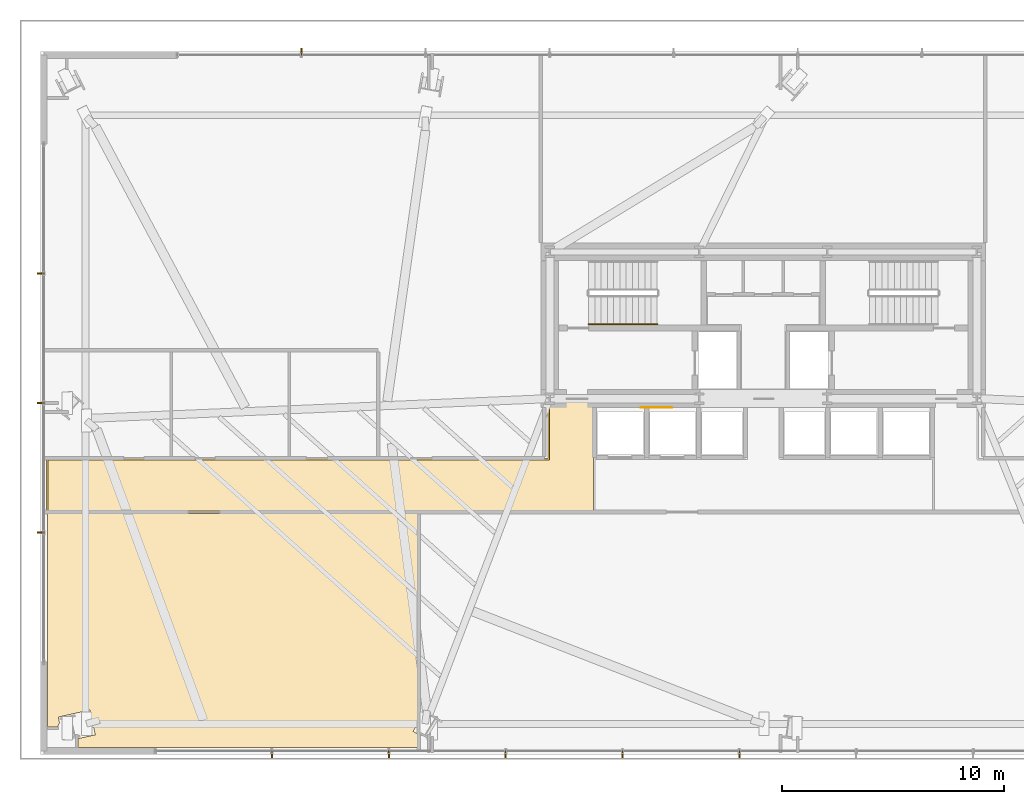
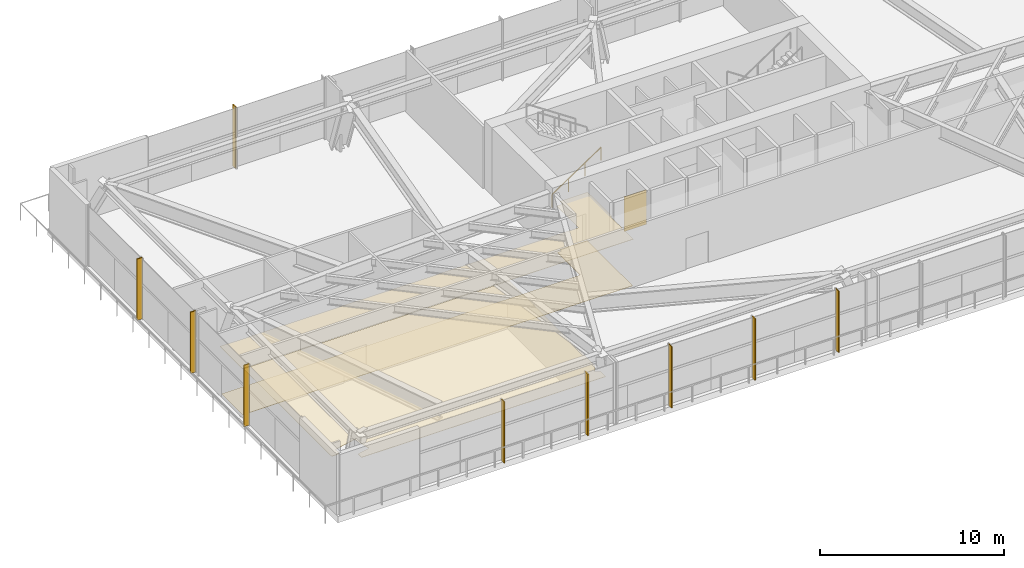
# One storey, part 24 of 30: 9 shading devices, 4 coverings, 1 railing.
"""IFC4 building model written with IfcOpenShell, lengths in metres."""

from ifc_helpers import new_model, si_unit, direction, frame, origin, origin_2d, place, context, subcontext, project, spatial, polyline, rectangle, outline, extrude, source, transform, mapped, material, layer, layer_set, type_object, type_shapes, element, save


model = new_model("IFC4")

# Units and contexts
model_context = context("Model", 3, precision=1e-05, world=origin(), true_north=direction((0.0, 1.0)))
body_context = subcontext(model_context, "Body", "Model", "MODEL_VIEW")
ifc_project = project(units=[si_unit("LENGTHUNIT", "METRE"), si_unit("AREAUNIT", "SQUARE_METRE"), si_unit("VOLUMEUNIT", "CUBIC_METRE"), si_unit("PLANEANGLEUNIT", "RADIAN"), si_unit("MASSUNIT", "GRAM", prefix="KILO")], contexts=[model_context])

# Site, building, storey
site_placement = place(None, origin())
site = spatial("IfcSite", under=ifc_project, at=site_placement, CompositionType="ELEMENT")
building_placement = place(site_placement, origin())
building = spatial("IfcBuilding", under=site, at=building_placement, Name="Astriad Promenade Condominiums", CompositionType="ELEMENT")
storey_placement = place(building_placement, frame((0.0, 0.0, 14.0)))
storey = spatial("IfcBuildingStorey", under=building, at=storey_placement, Name="L03", CompositionType="ELEMENT", Elevation=14.0)

# Coverings
ifc_material_1 = material(Name="Mineral-Fibre Acoustic Ceiling Tile")
ifc_layer_1 = layer(ifc_material_1, 0.02490234375)
ifc_layer_set_1 = layer_set([ifc_layer_1], Name="Mineral-Fibre Acoustic Ceiling Tile")
covering_type_1 = type_object("IfcCoveringType", Name="COV-CEIL-ACOUSTIC-25", PredefinedType="CEILING", material=ifc_layer_set_1)
covering_1_placement = place(storey_placement, frame((0.0, 0.0, 3.135009765625)))
element("IfcCovering", 1, at=covering_1_placement, inside=storey, type_object=covering_type_1, Name="CEIL-L03-COR-2", PredefinedType="CEILING", context=body_context, shape_type="SweptSolid", body=[
    extrude(outline(polyline([(3.794189453125, 12.2705078125), (3.791259765625, 12.271240234375), (3.78857421875, 12.272216796875), (3.785888671875, 12.2734375), (3.783203125, 12.275146484375), (3.781005859375, 12.27685546875), (3.77880859375, 12.27880859375), (3.77685546875, 12.281005859375), (3.775146484375, 12.283203125), (3.7734375, 12.285888671875), (3.772216796875, 12.28857421875), (3.771240234375, 12.291259765625), (3.7705078125, 12.294189453125), (3.77001953125, 12.297119140625), (3.77001953125, 12.300048828125), (3.77001953125, 14.679931640625), (3.77001953125, 14.682861328125), (3.7705078125, 14.685791015625), (3.771240234375, 14.688720703125), (3.772216796875, 14.69140625), (3.7734375, 14.694091796875), (3.775146484375, 14.69677734375), (3.77685546875, 14.698974609375), (3.77880859375, 14.701171875), (3.781005859375, 14.703125), (3.783203125, 14.704833984375), (3.785888671875, 14.70654296875), (3.78857421875, 14.707763671875), (3.791259765625, 14.708740234375), (3.794189453125, 14.70947265625), (3.797119140625, 14.7099609375), (3.800048828125, 14.7099609375), (26.320068359375, 14.7099609375), (26.320068359375, 17.077880859375), (26.683349609375, 17.077880859375), (26.683349609375, 17.3798828125), (28.39990234375, 17.3798828125), (28.40283203125, 17.3798828125), (28.406005859375, 17.37939453125), (28.40869140625, 17.378662109375), (28.41162109375, 17.377685546875), (28.4140625, 17.37646484375), (28.416748046875, 17.375), (28.4189453125, 17.373291015625), (28.421142578125, 17.37109375), (28.423095703125, 17.368896484375), (28.4248046875, 17.36669921875), (28.426513671875, 17.364013671875), (28.427734375, 17.361572265625), (28.4287109375, 17.358642578125), (28.429443359375, 17.35595703125), (28.429931640625, 17.352783203125), (28.429931640625, 17.35009765625), (28.429931640625, 14.75), (28.39990234375, 14.75), (28.39892578125, 14.75), (28.39599609375, 14.749755859375), (28.39404296875, 14.74951171875), (28.39111328125, 14.749267578125), (28.389404296875, 14.748779296875), (28.386474609375, 14.748046875), (28.384521484375, 14.74755859375), (28.3818359375, 14.74658203125), (28.3798828125, 14.745849609375), (28.377197265625, 14.744384765625), (28.37548828125, 14.74365234375), (28.373046875, 14.7421875), (28.371337890625, 14.740966796875), (28.369140625, 14.7392578125), (28.367431640625, 14.738037109375), (28.365478515625, 14.736083984375), (28.364013671875, 14.734619140625), (28.362060546875, 14.732421875), (28.360595703125, 14.73095703125), (28.35888671875, 14.728515625), (28.35791015625, 14.726806640625), (28.3564453125, 14.724365234375), (28.35546875, 14.72265625), (28.354248046875, 14.719970703125), (28.353515625, 14.71826171875), (28.3525390625, 14.71533203125), (28.351806640625, 14.713623046875), (28.351318359375, 14.710693359375), (28.350830078125, 14.708740234375), (28.350341796875, 14.705810546875), (28.35009765625, 14.703857421875), (28.35009765625, 14.700927734375), (28.35009765625, 14.699951171875), (28.35009765625, 12.300048828125), (28.35009765625, 12.299072265625), (28.35009765625, 12.296142578125), (28.350341796875, 12.294189453125), (28.350830078125, 12.291259765625), (28.351318359375, 12.289306640625), (28.351806640625, 12.286376953125), (28.3525390625, 12.28466796875), (28.353515625, 12.28173828125), (28.354248046875, 12.280029296875), (28.35546875, 12.27734375), (28.3564453125, 12.275634765625), (28.35791015625, 12.273193359375), (28.35888671875, 12.271484375), (28.360107421875, 12.27001953125), (3.800048828125, 12.27001953125), (3.797119140625, 12.27001953125), (3.794189453125, 12.2705078125)])), origin(), (0.0, 0.0, 1.0), 0.02490234375),
])
covering_2_placement = place(storey_placement, frame((0.0, 0.0, 3.135009765625)))
element("IfcCovering", 2, at=covering_2_placement, inside=storey, type_object=covering_type_1, Name="CEIL-L03-RM1", PredefinedType="CEILING", context=body_context, shape_type="SweptSolid", body=[
    extrude(outline(polyline([(3.820556640625, 12.205810546875), (3.8212890625, 12.208740234375), (3.822265625, 12.21142578125), (3.823486328125, 12.214111328125), (3.8251953125, 12.216796875), (3.826904296875, 12.218994140625), (3.828857421875, 12.22119140625), (3.8310546875, 12.22314453125), (3.833251953125, 12.224853515625), (3.8359375, 12.2265625), (3.83837890625, 12.227783203125), (3.84130859375, 12.228759765625), (3.843994140625, 12.2294921875), (3.84716796875, 12.22998046875), (3.85009765625, 12.22998046875), (20.5, 12.22998046875), (20.5029296875, 12.22998046875), (20.505859375, 12.2294921875), (20.5087890625, 12.228759765625), (20.511474609375, 12.227783203125), (20.51416015625, 12.2265625), (20.5166015625, 12.224853515625), (20.51904296875, 12.22314453125), (20.521240234375, 12.22119140625), (20.523193359375, 12.218994140625), (20.52490234375, 12.216796875), (20.526611328125, 12.214111328125), (20.527587890625, 12.21142578125), (20.52880859375, 12.208740234375), (20.529296875, 12.205810546875), (20.52978515625, 12.202880859375), (20.530029296875, 12.199951171875), (20.530029296875, 2.89111328125), (20.252685546875, 2.440673828125), (20.530029296875, 2.27001953125), (20.530029296875, 1.75), (20.52978515625, 1.7470703125), (20.529296875, 1.744140625), (20.52880859375, 1.7412109375), (20.527587890625, 1.738525390625), (20.526611328125, 1.73583984375), (20.52490234375, 1.7333984375), (20.523193359375, 1.73095703125), (20.521240234375, 1.728759765625), (20.51904296875, 1.726806640625), (20.5166015625, 1.72509765625), (20.51416015625, 1.723388671875), (20.511474609375, 1.722412109375), (20.5087890625, 1.72119140625), (20.505859375, 1.720703125), (20.5029296875, 1.72021484375), (20.5, 1.719970703125), (5.2099609375, 1.719970703125), (5.20703125, 1.72021484375), (5.2041015625, 1.720703125), (5.201416015625, 1.72119140625), (5.198486328125, 1.722412109375), (5.19580078125, 1.723388671875), (5.193359375, 1.72509765625), (5.19091796875, 1.726806640625), (5.188720703125, 1.728759765625), (5.186767578125, 1.73095703125), (5.18505859375, 1.7333984375), (5.18359375, 1.73583984375), (5.182373046875, 1.738525390625), (5.181396484375, 1.7412109375), (5.1806640625, 1.744140625), (5.18017578125, 1.7470703125), (5.179931640625, 1.75), (5.179931640625, 2.106689453125), (5.482177734375, 2.173583984375), (5.962158203125, 2.2802734375), (5.714599609375, 3.394287109375), (4.77783203125, 3.186279296875), (4.2978515625, 3.07958984375), (4.35595703125, 2.81787109375), (4.3017578125, 2.73681640625), (4.285400390625, 2.654052734375), (4.28466796875, 2.6513671875), (4.28369140625, 2.6484375), (4.282470703125, 2.64599609375), (4.28076171875, 2.643310546875), (4.279052734375, 2.64111328125), (4.277099609375, 2.638916015625), (4.27490234375, 2.63671875), (4.272705078125, 2.635009765625), (4.27001953125, 2.633544921875), (4.267333984375, 2.63232421875), (4.2646484375, 2.63134765625), (4.26171875, 2.630615234375), (4.2587890625, 2.630126953125), (4.255859375, 2.6298828125), (3.85009765625, 2.6298828125), (3.84716796875, 2.630126953125), (3.843994140625, 2.630615234375), (3.84130859375, 2.63134765625), (3.83837890625, 2.63232421875), (3.8359375, 2.633544921875), (3.833251953125, 2.635009765625), (3.8310546875, 2.63671875), (3.828857421875, 2.638916015625), (3.826904296875, 2.64111328125), (3.8251953125, 2.643310546875), (3.823486328125, 2.64599609375), (3.822265625, 2.6484375), (3.8212890625, 2.6513671875), (3.820556640625, 2.654052734375), (3.820068359375, 2.656982421875), (3.820068359375, 2.659912109375), (3.820068359375, 12.199951171875), (3.820068359375, 12.202880859375), (3.820556640625, 12.205810546875)])), origin(), (0.0, 0.0, 1.0), 0.02490234375),
])
ifc_material_2 = material(Name="Polished Lakefront Terrazzo Flooring")
ifc_layer_2 = layer(ifc_material_2, 0.02001953125)
ifc_layer_set_2 = layer_set([ifc_layer_2], Name="Polished Lakefront Terrazzo Flooring")
covering_type_2 = type_object("IfcCoveringType", Name="COV-FLOR-TERRAZZO-20", PredefinedType="FLOORING", material=ifc_layer_set_2)
covering_3_placement = place(storey_placement, origin())
element("IfcCovering", 3, at=covering_3_placement, inside=storey, type_object=covering_type_2, Name="FLR-L03-COR-2", PredefinedType="FLOORING", context=body_context, shape_type="SweptSolid", body=[
    extrude(outline(polyline([(3.840087890625, 12.340087890625), (3.840087890625, 14.639892578125), (26.35009765625, 14.639892578125), (26.35400390625, 14.64013671875), (26.35791015625, 14.640869140625), (26.361572265625, 14.6416015625), (26.365234375, 14.64306640625), (26.368896484375, 14.644775390625), (26.372314453125, 14.646728515625), (26.37548828125, 14.649169921875), (26.37841796875, 14.651611328125), (26.380859375, 14.654541015625), (26.38330078125, 14.65771484375), (26.38525390625, 14.6611328125), (26.386962890625, 14.664794921875), (26.38818359375, 14.66845703125), (26.38916015625, 14.672119140625), (26.389892578125, 14.676025390625), (26.389892578125, 14.679931640625), (26.389892578125, 17.117919921875), (26.643310546875, 17.117919921875), (26.643310546875, 17.31005859375), (28.360107421875, 17.31005859375), (28.360107421875, 12.340087890625), (3.840087890625, 12.340087890625)])), origin(), (0.0, 0.0, 1.0), 0.02001953125),
])

# Shading devices
ifc_material_3 = material(Name="Anodised aluminium 6063-T6 Black Fin", Category="aluminium")
shading_device_type = type_object("IfcShadingDeviceType", Name="FIN-BLACK-320", PredefinedType="USERDEFINED", material=ifc_material_3)
shared_shape_1 = source(origin(), body_context, "Body", "SweptSolid", [
    extrude(rectangle(XDim=0.06494140625, YDim=0.320068359375, at=origin_2d()), origin(), (0.0, 0.0, 1.0), 4.080078125),
])
type_shapes(shading_device_type, [shared_shape_1])
for number, where, z_axis, x_axis, name in (
    (4, (3.510009765625, 11.375, 0.0), (0.0, 0.0, 1.0), (0.0, 1.0, 0.0), "CW-L03-W-FIN-01"),
    (5, (3.510009765625, 17.199951171875, 0.0), (0.0, 0.0, 1.0), (0.0, 1.0, 0.0), "CW-L03-W-FIN-02"),
    (6, (3.510009765625, 23.02490234375, 0.0), (0.0, 0.0, 1.0), (0.0, 1.0, 0.0), "CW-L03-W-FIN-03"),
    (7, (15.22998046875, 32.989990234375, 0.0), (0.0, 0.0, 1.0), (1.0, 0.0, 0.0), "CW-L03-N-FIN-01"),
    (8, (34.922607421875, 1.409912109375, 0.0), (0.0, 0.0, 1.0), (-1.0, 0.0, 0.0), "CW-L03-S-FIN-06"),
    (9, (29.668212890625, 1.409912109375, 0.0), (0.0, 0.0, 1.0), (-1.0, 0.0, 0.0), "CW-L03-S-FIN-07"),
    (10, (24.41357421875, 1.409912109375, 0.0), (0.0, 0.0, 1.0), (-1.0, 0.0, 0.0), "CW-L03-S-FIN-08"),
    (11, (19.1591796875, 1.409912109375, 0.0), (0.0, 0.0, 1.0), (-1.0, 0.0, 0.0), "CW-L03-S-FIN-09"),
    (12, (13.904541015625, 1.409912109375, 0.0), (0.0, 0.0, 1.0), (-1.0, 0.0, 0.0), "CW-L03-S-FIN-10"),
):
    element("IfcShadingDevice", number, at=place(storey_placement, frame(where, z_axis=z_axis, x_axis=x_axis)), inside=storey, type_object=shading_device_type, Name=name, ObjectType="FIN", PredefinedType="USERDEFINED", context=body_context, shape_type="MappedRepresentation", body=[
        mapped(shared_shape_1, transform((0.0, 0.0, 0.0), scale=1.0)),
    ])

# Railing
ifc_material_4 = material(Name="Brushed Stainless Steel Handrail", Category="steel")
railing_type = type_object("IfcRailingType", Name="HRL-STAIR-920", PredefinedType="HANDRAIL", material=ifc_material_4)
shared_shape_2 = source(origin(), body_context, "Body", "SweptSolid", [
    extrude(rectangle(XDim=0.048095703125, YDim=0.048095703125, at=origin_2d()), frame((0.0, 0.0, 0.8759765625), z_axis=(0.830913701846, 0.0, 0.55640131208), x_axis=(0.0, 1.0, 0.0)), (0.0, 0.0, 1.0), 3.706787109375),
    extrude(rectangle(XDim=0.0419921875, YDim=0.0419921875, at=origin_2d()), origin(), (0.0, 0.0, 1.0), 0.851806640625),
    extrude(rectangle(XDim=0.0419921875, YDim=0.0419921875, at=origin_2d()), frame((1.026611328125, 0.0, 0.6875)), (0.0, 0.0, 1.0), 0.851806640625),
    extrude(rectangle(XDim=0.0419921875, YDim=0.0419921875, at=origin_2d()), frame((2.053466796875, 0.0, 1.375)), (0.0, 0.0, 1.0), 0.851806640625),
    extrude(rectangle(XDim=0.0419921875, YDim=0.0419921875, at=origin_2d()), frame((3.080078125, 0.0, 2.0625)), (0.0, 0.0, 1.0), 0.851806640625),
])
type_shapes(railing_type, [shared_shape_2])
railing_placement = place(storey_placement, frame((28.14990234375, 20.75, 0.1875)))
element("IfcRailing", 13, at=railing_placement, inside=storey, type_object=railing_type, Name="L03 ST-1 stair handrail 1", PredefinedType="HANDRAIL", context=body_context, shape_type="MappedRepresentation", body=[
    mapped(shared_shape_2, transform((0.0, 0.0, 0.0), scale=1.0)),
])

# Covering
ifc_material_5 = material(Name="Fire-Retardant Acoustic Oak Wall Cladding")
ifc_layer_3 = layer(ifc_material_5, 0.02490234375)
ifc_layer_set_3 = layer_set([ifc_layer_3], Name="Fire-Retardant Acoustic Oak Wall Cladding")
covering_type_3 = type_object("IfcCoveringType", Name="COV-CLAD-TIMBER-25", PredefinedType="CLADDING", material=ifc_layer_set_3)
shared_shape_3 = source(origin(), body_context, "Body", "SweptSolid", [
    extrude(rectangle(XDim=1.39990234375, YDim=0.02490234375, at=origin_2d()), origin(), (0.0, 0.0, 1.0), 2.300048828125),
])
type_shapes(covering_type_3, [shared_shape_3])
covering_4_placement = place(storey_placement, frame((31.199951171875, 16.991455078125, 0.0498046875), z_axis=(0.0, 0.0, 1.0), x_axis=(1.0, 0.0, 0.0)))
element("IfcCovering", 14, at=covering_4_placement, inside=storey, type_object=covering_type_3, Name="CLAD-LOB-L03", PredefinedType="CLADDING", context=body_context, shape_type="MappedRepresentation", body=[
    mapped(shared_shape_3, transform((0.0, 0.0, 0.0), scale=1.0)),
])

save(model, "model.ifc")
